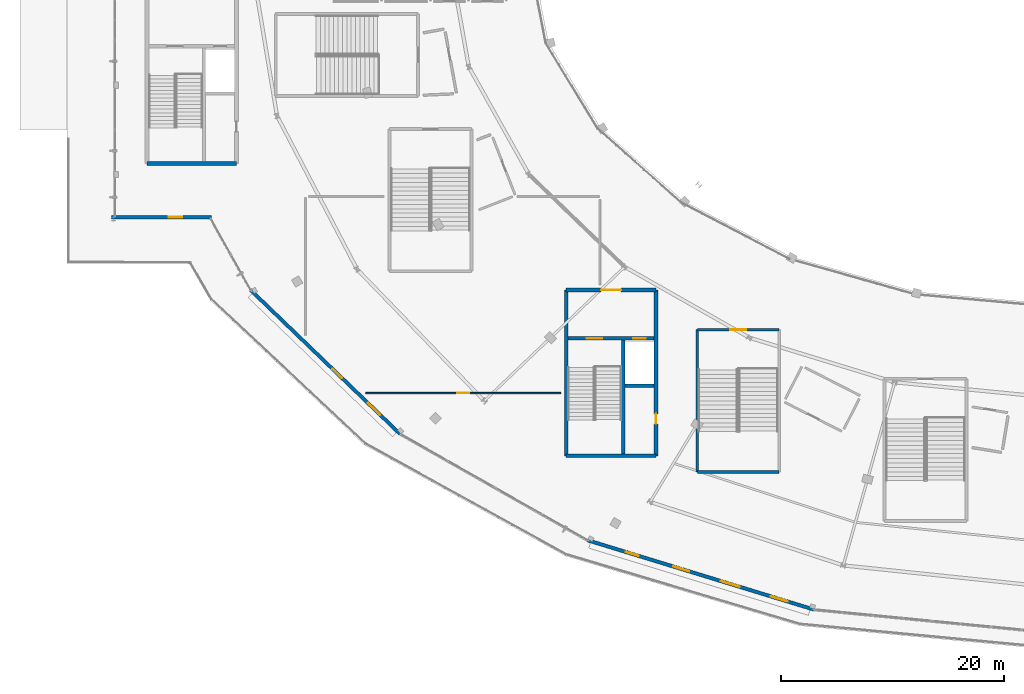
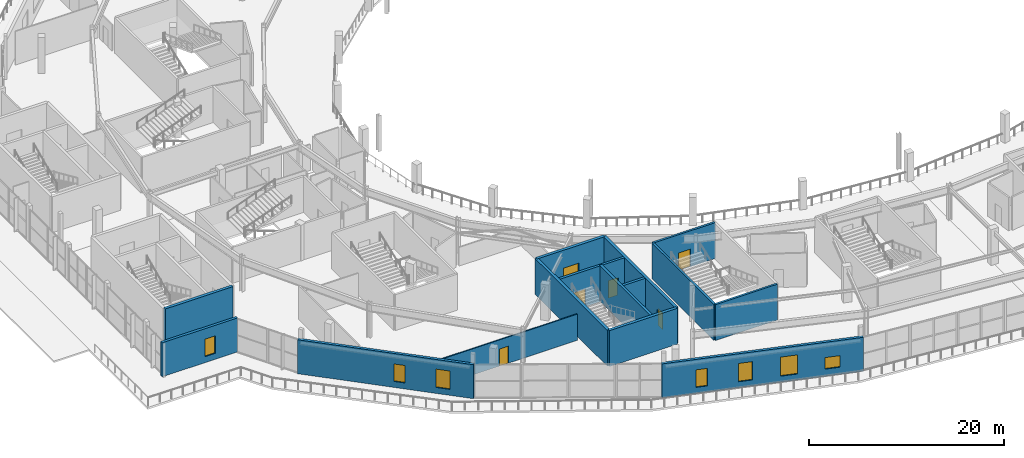
# One storey, part 85 of 123: 15 walls, 7 windows, 6 doors, 13 openings.
"""IFC4 building model written with IfcOpenShell, lengths in metres."""

import ifcopenshell
import ifcopenshell.guid

model = None  # the IFC model being written
_history = None  # IfcOwnerHistory: only IFC2X3 demands one
_inside = {}  # id of a spatial element -> (the spatial element, [elements in it])
_under = {}  # id of a project, library or spatial element -> (it, [spatial elements below it])
_declared = {}  # id of a project -> (the project, [libraries it declares])
_typed = {}  # id of a type object -> (the type object, [elements of that type])
_made_of = {}  # id of a material, layer set ... -> (it, [elements and type objects made of it])


def new_model(schema):
    """Start an empty IFC model of exactly this schema.

    Asked for "IFC4X3", IfcOpenShell would pick the latest addendum, in which some entities
    have other attributes; the version numbers below select the first issue.
    IFC2X3 requires an IfcOwnerHistory on every rooted entity: one is made here for all.
    """
    global model, _history
    if schema == "IFC4X3":
        model = ifcopenshell.file(schema_version=(4, 3, 0, 0))
    else:
        model = ifcopenshell.file(schema=schema)
    _inside.clear()
    _under.clear()
    _declared.clear()
    _typed.clear()
    _made_of.clear()
    _history = None
    if model.schema == "IFC2X3":
        org = make("IfcOrganization", Name="unknown")
        user = make(
            "IfcPersonAndOrganization",
            ThePerson=make("IfcPerson", FamilyName="unknown"),
            TheOrganization=org,
        )
        app = make(
            "IfcApplication",
            ApplicationDeveloper=org,
            Version="unknown",
            ApplicationFullName="unknown",
            ApplicationIdentifier="unknown",
        )
        _history = make(
            "IfcOwnerHistory",
            OwningUser=user,
            OwningApplication=app,
            ChangeAction="ADDED",
            CreationDate=0,
        )
    return model


def make(cls, **values):
    """One entity of the class cls with the attributes given. An attribute that is None is left unset."""
    return model.create_entity(
        cls, **{name: value for name, value in values.items() if value is not None}
    )


def rooted(cls, **values):
    """An entity with a GlobalId (a new one), such as an element, a storey or a relation."""
    return make(cls, GlobalId=ifcopenshell.guid.new(), OwnerHistory=_history, **values)


def si_unit(unit_type, name, prefix=None):
    """IfcSIUnit, for example si_unit("LENGTHUNIT", "METRE", prefix="MILLI")."""
    return make("IfcSIUnit", UnitType=unit_type, Prefix=prefix, Name=name)


def assignment(units):
    """IfcUnitAssignment: the units of a project."""
    return None if units is None else make("IfcUnitAssignment", Units=units)


def point(xyz):
    """IfcCartesianPoint."""
    return None if xyz is None else make("IfcCartesianPoint", Coordinates=xyz)


def direction(xyz):
    """IfcDirection."""
    return None if xyz is None else make("IfcDirection", DirectionRatios=xyz)


def frame(location, z_axis=None, x_axis=None):
    """IfcAxis2Placement3D, a coordinate frame: its origin and axes. An axis left out is left unset."""
    return make(
        "IfcAxis2Placement3D",
        Location=point(location),
        Axis=direction(z_axis),
        RefDirection=direction(x_axis),
    )


def frame_2d(location, x_axis=None):
    """IfcAxis2Placement2D, a coordinate frame in the plane: its origin and x axis."""
    return make(
        "IfcAxis2Placement2D", Location=point(location), RefDirection=direction(x_axis)
    )


def origin():
    """The frame at (0, 0, 0) with its axes left unset."""
    return frame((0.0, 0.0, 0.0))


def place(relative_to, where):
    """IfcLocalPlacement: puts the frame where relative to a parent placement (None: the world)."""
    return make(
        "IfcLocalPlacement", PlacementRelTo=relative_to, RelativePlacement=where
    )


def context(
    kind, dimensions, precision=None, world=None, true_north=None, identifier=None
):
    """IfcGeometricRepresentationContext, for example the 3D "Model" context."""
    return make(
        "IfcGeometricRepresentationContext",
        ContextIdentifier=identifier,
        ContextType=kind,
        CoordinateSpaceDimension=dimensions,
        Precision=precision,
        WorldCoordinateSystem=world,
        TrueNorth=true_north,
    )


def subcontext(parent, identifier, kind, view, scale=None):
    """IfcGeometricRepresentationSubContext, for example "Body" below "Model"."""
    return make(
        "IfcGeometricRepresentationSubContext",
        ContextIdentifier=identifier,
        ContextType=kind,
        ParentContext=parent,
        TargetScale=scale,
        TargetView=view,
    )


def project(units=None, contexts=None):
    """IfcProject with its units and contexts."""
    return rooted(
        "IfcProject",
        Name="project",
        RepresentationContexts=contexts,
        UnitsInContext=assignment(units),
    )


def spatial(cls, under=None, at=None, **own):
    """A site, building, storey or space (cls), placed at a placement, below another one or the project."""
    s = rooted(cls, ObjectPlacement=at, **own)
    if under is not None:
        _under.setdefault(under.id(), (under, []))[1].append(s)
    return s


def profile(cls, at=None, kind="AREA", **sizes):
    """A parametric profile (cls). Its sizes go by their IFC names, for example OverallWidth=200.0."""
    return make(cls, ProfileType=kind, Position=at, **sizes)


def rectangle(**sizes):
    """IfcRectangleProfileDef."""
    return profile("IfcRectangleProfileDef", **sizes)


def extrude(swept, where, along, depth):
    """IfcExtrudedAreaSolid: the profile swept, set in the frame where, extruded along a direction by depth."""
    return make(
        "IfcExtrudedAreaSolid",
        SweptArea=swept,
        Position=where,
        ExtrudedDirection=direction(along),
        Depth=depth,
    )


def shape(context_of_items, identifier, shape_type, items):
    """IfcShapeRepresentation: the items that make up one representation, for example the "Body"."""
    return make(
        "IfcShapeRepresentation",
        ContextOfItems=context_of_items,
        RepresentationIdentifier=identifier,
        RepresentationType=shape_type,
        Items=items,
    )


def material(Name=None, Category=None):
    """IfcMaterial."""
    return make("IfcMaterial", Name=Name, Category=Category)


def layer(
    of_material, thickness, ventilated=None, Name=None, Category=None, Priority=None
):
    """IfcMaterialLayer: one layer of a wall or slab, of a material (None: an air gap)."""
    return make(
        "IfcMaterialLayer",
        Material=of_material,
        LayerThickness=thickness,
        IsVentilated=ventilated,
        Name=Name,
        Category=Category,
        Priority=Priority,
    )


def layer_set(layers, Name=None):
    """IfcMaterialLayerSet."""
    return make("IfcMaterialLayerSet", MaterialLayers=layers, LayerSetName=Name)


def made_of(thing, what):
    """Note that an element or type object is made of a material, layer set ...; save() writes the relation."""
    if what is not None:
        _made_of.setdefault(what.id(), (what, []))[1].append(thing)
    return thing


def type_object(cls, material=None, **own):
    """A type object (cls), such as IfcWallType, which elements share."""
    return made_of(rooted(cls, **own), material)


def element(
    cls,
    number,
    at=None,
    inside=None,
    cuts=None,
    type_object=None,
    material=None,
    context=None,
    identifier="Body",
    shape_type=None,
    held_by="IfcProductDefinitionShape",
    body=None,
    shapes=None,
    **own,
):
    """One element of the class cls, such as IfcWall. Its Tag is "e" and its number.

    at: its placement. inside: the storey or other place that contains it. cuts: it is an
    opening in that element (IfcRelVoidsElement). A single representation is given by context,
    identifier, shape_type and body (its items); several are given by shapes. held_by: the class
    of the entity that holds the representations. save() writes the other relations.
    """
    e = rooted(cls, Tag="e%d" % number, ObjectPlacement=at, **own)
    if body is not None:
        shapes = [shape(context, identifier, shape_type, body)]
    if shapes is not None:
        e.Representation = make(held_by, Representations=shapes)
    if inside is not None:
        _inside.setdefault(inside.id(), (inside, []))[1].append(e)
    if cuts is not None:
        rooted(
            "IfcRelVoidsElement", RelatingBuildingElement=cuts, RelatedOpeningElement=e
        )
    if type_object is not None:
        _typed.setdefault(type_object.id(), (type_object, []))[1].append(e)
    return made_of(e, material)


def fill(opening, filler):
    """IfcRelFillsElement: the door or window that sits in an opening."""
    return rooted(
        "IfcRelFillsElement",
        RelatingOpeningElement=opening,
        RelatedBuildingElement=filler,
    )


def aggregate(whole, parts):
    """IfcRelAggregates: a whole, such as a stair, and the parts it consists of."""
    return rooted("IfcRelAggregates", RelatingObject=whole, RelatedObjects=parts)


def save(model, path):
    """Write the relations noted so far, then the file.

    IfcRelAggregates (storeys below a building ...), IfcRelContainedInSpatialStructure (elements
    in a storey), IfcRelDefinesByType, IfcRelAssociatesMaterial and IfcRelDeclares: one each for
    every whole, place, type object, material and project.
    """
    for whole, parts in _under.values():
        aggregate(whole, parts)
    for where, things in _inside.values():
        rooted(
            "IfcRelContainedInSpatialStructure",
            RelatedElements=things,
            RelatingStructure=where,
        )
    for kind, things in _typed.values():
        rooted("IfcRelDefinesByType", RelatedObjects=things, RelatingType=kind)
    for what, things in _made_of.values():
        rooted("IfcRelAssociatesMaterial", RelatedObjects=things, RelatingMaterial=what)
    for by, libraries in _declared.values():
        rooted("IfcRelDeclares", RelatingContext=by, RelatedDefinitions=libraries)
    model.write(path)


model = new_model("IFC4")

# Units and contexts
model_context = context("Model", 3, precision=1e-05, world=origin(), true_north=direction((0.0, 1.0)))
body_context = subcontext(model_context, "Body", "Model", "MODEL_VIEW")
ifc_project = project(units=[si_unit("LENGTHUNIT", "METRE"), si_unit("AREAUNIT", "SQUARE_METRE"), si_unit("VOLUMEUNIT", "CUBIC_METRE"), si_unit("PLANEANGLEUNIT", "RADIAN"), si_unit("MASSUNIT", "GRAM", prefix="KILO")], contexts=[model_context])

# Site, building, storey
site_placement = place(None, origin())
site = spatial("IfcSite", under=ifc_project, at=site_placement, CompositionType="ELEMENT")
building_placement = place(site_placement, origin())
building = spatial("IfcBuilding", under=site, at=building_placement, Name="Kalgoora Escarpment Arena", CompositionType="ELEMENT")
storey_placement = place(building_placement, frame((0.0, 0.0, 9.89990234375)))
storey = spatial("IfcBuildingStorey", under=building, at=storey_placement, Name="L02", CompositionType="ELEMENT", Elevation=9.89990234375)

# Walls
ifc_material_1 = material(Name="Concrete N50 (fc' 50 MPa)", Category="concrete")
ifc_layer_1 = layer(ifc_material_1, 0.35009765625)
ifc_layer_set_1 = layer_set([ifc_layer_1], Name="WAL-CORE-350")
wall_type_1 = type_object("IfcWallType", Name="WAL-CORE-350", PredefinedType="SHEAR", material=ifc_layer_set_1)
wall_1_placement = place(storey_placement, frame((11.375, 44.97509765625, 0.0), z_axis=(0.0, 0.0, 1.0), x_axis=(1.0, 0.0, 0.0)))
element("IfcWall", 1, at=wall_1_placement, inside=storey, type_object=wall_type_1, Name="Core C2 L02 south shear wall", PredefinedType="SHEAR", context=body_context, shape_type="SweptSolid", body=[
    extrude(rectangle(XDim=8.050048828125, YDim=0.35009765625, at=frame_2d((4.02490234375, 0.0))), origin(), (0.0, 0.0, 1.0), 4.5),
])
wall_2_placement = place(storey_placement, frame((48.97509765625, 18.77490234375, 0.0), z_axis=(0.0, 0.0, 1.0), x_axis=(1.0, 0.0, 0.0)))
element("IfcWall", 2, at=wall_2_placement, inside=storey, type_object=wall_type_1, Name="Core C5 L02 south shear wall", PredefinedType="SHEAR", context=body_context, shape_type="SweptSolid", body=[
    extrude(rectangle(XDim=8.0498046875, YDim=0.35009765625, at=frame_2d((4.02490234375, 0.0))), origin(), (0.0, 0.0, 1.0), 4.5),
])

# Wall, opening, door
wall_3_placement = place(storey_placement, frame((48.97509765625, 33.625, 0.0), z_axis=(0.0, 0.0, 1.0), x_axis=(1.0, 0.0, 0.0)))
wall_3 = element("IfcWall", 3, at=wall_3_placement, inside=storey, type_object=wall_type_1, Name="Core C5 L02 north lobby wall", PredefinedType="SHEAR", context=body_context, shape_type="SweptSolid", body=[
    extrude(rectangle(XDim=8.0498046875, YDim=0.35009765625, at=frame_2d((4.02490234375, 0.0))), origin(), (0.0, 0.0, 1.0), 4.5),
])
opening_1_placement = place(wall_3_placement, frame((3.125, 0.0, 0.0)))
opening_1 = element("IfcOpeningElement", 4, at=opening_1_placement, cuts=wall_3, Name="Opening FD-C5L", PredefinedType="OPENING", context=body_context, shape_type="SweptSolid", body=[
    extrude(rectangle(XDim=1.800048828125, YDim=2.25, at=frame_2d((0.89990234375, 1.125))), frame((0.0, 0.18505859375, 0.0), z_axis=(0.0, -1.0, 0.0), x_axis=(1.0, 0.0, 0.0)), (0.0, 0.0, 1.0), 0.3701171875),
])
ifc_material_2 = material(Name="Double fire-rated smoke-seal lobby door")
door_type_1 = type_object("IfcDoorType", Name="DR-LOBBY-1800", OperationType="NOTDEFINED", PredefinedType="DOOR", material=ifc_material_2)
door_1_placement = place(opening_1_placement, origin())
door_1 = element("IfcDoor", 5, at=door_1_placement, inside=storey, type_object=door_type_1, Name="Core C5 L02 smoke-lobby fire door", OperationType="DOUBLE_DOOR_SINGLE_SWING", OverallHeight=2.25, OverallWidth=1.800048828125, PredefinedType="DOOR", context=body_context, shape_type="SweptSolid", body=[
    extrude(rectangle(XDim=1.800048828125, YDim=2.25, at=frame_2d((0.89990234375, 1.125))), frame((0.0, 0.02490234375, 0.0), z_axis=(0.0, -1.0, 0.0), x_axis=(1.0, 0.0, 0.0)), (0.0, 0.0, 1.0), 0.050048828125),
])
fill(opening_1, door_1)

# Wall
wall_4_placement = place(storey_placement, frame((48.97509765625, 18.77490234375, 0.0), z_axis=(0.0, 0.0, 1.0), x_axis=(0.0, 1.0, 0.0)))
element("IfcWall", 6, at=wall_4_placement, inside=storey, type_object=wall_type_1, Name="Core C5 L02 west shear wall", PredefinedType="SHEAR", context=body_context, shape_type="SweptSolid", body=[
    extrude(rectangle(XDim=14.85009765625, YDim=0.35009765625, at=frame_2d((7.425048828125, 0.0))), origin(), (0.0, 0.0, 1.0), 4.5),
])

# Wall, opening, door
wall_5_placement = place(storey_placement, frame((57.02490234375, 18.77490234375, 0.0), z_axis=(0.0, 0.0, 1.0), x_axis=(0.0, 1.0, 0.0)))
wall_5 = element("IfcWall", 7, at=wall_5_placement, inside=storey, type_object=wall_type_1, Name="Core C5 L02 east shear wall", PredefinedType="SHEAR", context=body_context, shape_type="SweptSolid", body=[
    extrude(rectangle(XDim=14.85009765625, YDim=0.35009765625, at=frame_2d((7.425048828125, 0.0))), origin(), (0.0, 0.0, 1.0), 4.5),
])
opening_2_placement = place(wall_5_placement, frame((2.85498046875, 0.0, 0.0)))
opening_2 = element("IfcOpeningElement", 8, at=opening_2_placement, cuts=wall_5, Name="Opening FD-C5R", PredefinedType="OPENING", context=body_context, shape_type="SweptSolid", body=[
    extrude(rectangle(XDim=0.89990234375, YDim=2.10009765625, at=frame_2d((0.449951171875, 1.050048828125))), frame((0.0, 0.18505859375, 0.0), z_axis=(0.0, -1.0, 0.0), x_axis=(1.0, 0.0, 0.0)), (0.0, 0.0, 1.0), 0.3701171875),
])
ifc_material_3 = material(Name="Fire-rated steel riser access door", Category="steel")
door_type_2 = type_object("IfcDoorType", Name="DR-RISER-0900", OperationType="NOTDEFINED", PredefinedType="DOOR", material=ifc_material_3)
door_2_placement = place(opening_2_placement, origin())
door_2 = element("IfcDoor", 9, at=door_2_placement, inside=storey, type_object=door_type_2, Name="Core C5 L02 riser cupboard access door", OperationType="SINGLE_SWING_RIGHT", OverallHeight=2.10009765625, OverallWidth=0.89990234375, PredefinedType="DOOR", context=body_context, shape_type="SweptSolid", body=[
    extrude(rectangle(XDim=0.89990234375, YDim=2.10009765625, at=frame_2d((0.449951171875, 1.050048828125))), frame((0.0, 0.02490234375, 0.0), z_axis=(0.0, -1.0, 0.0), x_axis=(1.0, 0.0, 0.0)), (0.0, 0.0, 1.0), 0.050048828125),
])
fill(opening_2, door_2)

ifc_material_4 = material(Name="Hospitality acoustic drywall partition", Category="gypsum")
ifc_layer_2 = layer(ifc_material_4, 0.135009765625)
ifc_layer_set_2 = layer_set([ifc_layer_2], Name="WAL-DIN-135")
wall_type_2 = type_object("IfcWallType", Name="WAL-DIN-135", PredefinedType="PARTITIONING", material=ifc_layer_set_2)
wall_6_placement = place(storey_placement, frame((48.47509765625, 24.39990234375, 0.0), z_axis=(0.0, 0.0, 1.0), x_axis=(-1.0, 0.0, 0.0)))
wall_6 = element("IfcWall", 10, at=wall_6_placement, inside=storey, type_object=wall_type_2, Name="L02 Goldfields Wine Tasting Room partition wall", PredefinedType="PARTITIONING", context=body_context, shape_type="SweptSolid", body=[
    extrude(rectangle(XDim=17.48291015625, YDim=0.135009765625, at=frame_2d((8.741455078125, 0.0))), origin(), (0.0, 0.0, 1.0), 3.28515625),
])
opening_3_placement = place(wall_6_placement, frame((8.201416015625, 0.0, 0.0)))
opening_3 = element("IfcOpeningElement", 11, at=opening_3_placement, cuts=wall_6, Name="Opening FD-I098", PredefinedType="OPENING", context=body_context, shape_type="SweptSolid", body=[
    extrude(rectangle(XDim=1.080078125, YDim=2.14990234375, at=frame_2d((0.5400390625, 1.074951171875))), frame((0.0, 0.077392578125, 0.0), z_axis=(0.0, -1.0, 0.0), x_axis=(1.0, 0.0, 0.0)), (0.0, 0.0, 1.0), 0.155029296875),
])
ifc_material_5 = material(Name="Solid-core acoustic timber door", Category="wood")
door_type_3 = type_object("IfcDoorType", Name="DR-GEN-1080", OperationType="NOTDEFINED", PredefinedType="DOOR", material=ifc_material_5)
door_3_placement = place(opening_3_placement, origin())
door_3 = element("IfcDoor", 12, at=door_3_placement, inside=storey, type_object=door_type_3, Name="Goldfields Wine Tasting Room entrance door", OperationType="SINGLE_SWING_RIGHT", OverallHeight=2.14990234375, OverallWidth=1.080078125, PredefinedType="DOOR", context=body_context, shape_type="SweptSolid", body=[
    extrude(rectangle(XDim=1.080078125, YDim=2.14990234375, at=frame_2d((0.5400390625, 1.074951171875))), frame((0.0, 0.02490234375, 0.0), z_axis=(0.0, -1.0, 0.0), x_axis=(1.0, 0.0, 0.0)), (0.0, 0.0, 1.0), 0.050048828125),
])
fill(opening_3, door_3)

# Wall, openings, windows
ifc_material_6 = material(Name="Insulated limestone cladding precast wall 40 MPa", Category="masonry")
ifc_layer_3 = layer(ifc_material_6, 0.31494140625)
ifc_layer_set_3 = layer_set([ifc_layer_3], Name="WAL-EXT-315")
wall_type_3 = type_object("IfcWallType", Name="WAL-EXT-315", PredefinedType="SOLIDWALL", material=ifc_layer_set_3)
wall_7_placement = place(storey_placement, frame((71.190673828125, 4.982421875, 0.0), z_axis=(0.0, 0.0, 1.0), x_axis=(-0.956190176803, 0.292746213956, 0.0)))
wall_7 = element("IfcWall", 13, at=wall_7_placement, inside=storey, type_object=wall_type_3, Name="L02 limestone-faced external wall 042", PredefinedType="SOLIDWALL", context=body_context, shape_type="SweptSolid", body=[
    extrude(rectangle(XDim=21.250244140625, YDim=0.31494140625, at=frame_2d((10.625, 0.0))), origin(), (0.0, 0.0, 1.0), 4.26513671875),
])
opening_4_placement = place(wall_7_placement, frame((2.449951171875, 0.0, 0.89990234375)))
opening_4 = element("IfcOpeningElement", 14, at=opening_4_placement, cuts=wall_7, Name="Opening W-19", PredefinedType="OPENING", context=body_context, shape_type="SweptSolid", body=[
    extrude(rectangle(XDim=1.60009765625, YDim=1.449951171875, at=frame_2d((0.800048828125, 0.72509765625))), frame((0.0, 0.16748046875, 0.0), z_axis=(0.0, -1.0, 0.0), x_axis=(1.0, 0.0, 0.0)), (0.0, 0.0, 1.0), 0.3349609375),
])
opening_5_placement = place(wall_7_placement, frame((6.949951171875, 0.0, 0.75)))
opening_5 = element("IfcOpeningElement", 15, at=opening_5_placement, cuts=wall_7, Name="Opening W-01", PredefinedType="OPENING", context=body_context, shape_type="SweptSolid", body=[
    extrude(rectangle(XDim=1.800048828125, YDim=2.39990234375, at=frame_2d((0.89990234375, 1.199951171875))), frame((0.0, 0.16748046875, 0.0), z_axis=(0.0, -1.0, 0.0), x_axis=(1.0, 0.0, 0.0)), (0.0, 0.0, 1.0), 0.3349609375),
])
opening_6_placement = place(wall_7_placement, frame((11.699951171875, 0.0, 0.75)))
opening_6 = element("IfcOpeningElement", 16, at=opening_6_placement, cuts=wall_7, Name="Opening W-03", PredefinedType="OPENING", context=body_context, shape_type="SweptSolid", body=[
    extrude(rectangle(XDim=1.5, YDim=2.300048828125, at=frame_2d((0.75, 1.14990234375))), frame((0.0, 0.16748046875, 0.0), z_axis=(0.0, -1.0, 0.0), x_axis=(1.0, 0.0, 0.0)), (0.0, 0.0, 1.0), 0.3349609375),
])
opening_7_placement = place(wall_7_placement, frame((16.449951171875, 0.0, 0.75)))
opening_7 = element("IfcOpeningElement", 17, at=opening_7_placement, cuts=wall_7, Name="Opening W-05", PredefinedType="OPENING", context=body_context, shape_type="SweptSolid", body=[
    extrude(rectangle(XDim=1.199951171875, YDim=2.199951171875, at=frame_2d((0.60009765625, 1.10009765625))), frame((0.0, 0.16748046875, 0.0), z_axis=(0.0, -1.0, 0.0), x_axis=(1.0, 0.0, 0.0)), (0.0, 0.0, 1.0), 0.3349609375),
])
ifc_material_7 = material(Name="Low-E solar-control double glazing in champagne frame", Category="glass")
window_type_1 = type_object("IfcWindowType", Name="WIN-BOH-1600x1450", PartitioningType="SINGLE_PANEL", PredefinedType="WINDOW", material=ifc_material_7)
window_1_placement = place(opening_4_placement, origin())
window_1 = element("IfcWindow", 18, at=window_1_placement, inside=storey, type_object=window_type_1, Name="L02 scheduled facade window 039", OverallHeight=1.449951171875, OverallWidth=1.60009765625, PartitioningType="SINGLE_PANEL", PredefinedType="WINDOW", context=body_context, shape_type="SweptSolid", body=[
    extrude(rectangle(XDim=1.60009765625, YDim=1.449951171875, at=frame_2d((0.800048828125, 0.72509765625))), frame((0.0, 0.030029296875, 0.0), z_axis=(0.0, -1.0, 0.0), x_axis=(1.0, 0.0, 0.0)), (0.0, 0.0, 1.0), 0.06005859375),
])
fill(opening_4, window_1)
ifc_material_8 = material(Name="Low-E solar-control double glazing in champagne frame", Category="glass")
window_type_2 = type_object("IfcWindowType", Name="WIN-DECO-1200x2200", PartitioningType="SINGLE_PANEL", PredefinedType="WINDOW", material=ifc_material_8)
window_2_placement = place(opening_7_placement, origin())
window_2 = element("IfcWindow", 19, at=window_2_placement, inside=storey, type_object=window_type_2, Name="L02 scheduled facade window 042", OverallHeight=2.199951171875, OverallWidth=1.199951171875, PartitioningType="SINGLE_PANEL", PredefinedType="WINDOW", context=body_context, shape_type="SweptSolid", body=[
    extrude(rectangle(XDim=1.199951171875, YDim=2.199951171875, at=frame_2d((0.60009765625, 1.10009765625))), frame((0.0, 0.030029296875, 0.0), z_axis=(0.0, -1.0, 0.0), x_axis=(1.0, 0.0, 0.0)), (0.0, 0.0, 1.0), 0.06005859375),
])
fill(opening_7, window_2)
ifc_material_9 = material(Name="Low-E solar-control double glazing in champagne frame", Category="glass")
window_type_3 = type_object("IfcWindowType", Name="WIN-DECO-1500x2300", PartitioningType="SINGLE_PANEL", PredefinedType="WINDOW", material=ifc_material_9)
window_3_placement = place(opening_6_placement, origin())
window_3 = element("IfcWindow", 20, at=window_3_placement, inside=storey, type_object=window_type_3, Name="L02 scheduled facade window 041", OverallHeight=2.300048828125, OverallWidth=1.5, PartitioningType="SINGLE_PANEL", PredefinedType="WINDOW", context=body_context, shape_type="SweptSolid", body=[
    extrude(rectangle(XDim=1.5, YDim=2.300048828125, at=frame_2d((0.75, 1.14990234375))), frame((0.0, 0.030029296875, 0.0), z_axis=(0.0, -1.0, 0.0), x_axis=(1.0, 0.0, 0.0)), (0.0, 0.0, 1.0), 0.06005859375),
])
fill(opening_6, window_3)
ifc_material_10 = material(Name="Low-E solar-control double glazing in champagne frame", Category="glass")
window_type_4 = type_object("IfcWindowType", Name="WIN-DECO-1800x2400", PartitioningType="SINGLE_PANEL", PredefinedType="WINDOW", material=ifc_material_10)
window_4_placement = place(opening_5_placement, origin())
window_4 = element("IfcWindow", 21, at=window_4_placement, inside=storey, type_object=window_type_4, Name="L02 scheduled facade window 040", OverallHeight=2.39990234375, OverallWidth=1.800048828125, PartitioningType="SINGLE_PANEL", PredefinedType="WINDOW", context=body_context, shape_type="SweptSolid", body=[
    extrude(rectangle(XDim=1.800048828125, YDim=2.39990234375, at=frame_2d((0.89990234375, 1.199951171875))), frame((0.0, 0.030029296875, 0.0), z_axis=(0.0, -1.0, 0.0), x_axis=(1.0, 0.0, 0.0)), (0.0, 0.0, 1.0), 0.06005859375),
])
fill(opening_5, window_4)

wall_8_placement = place(storey_placement, frame((34.09228515625, 20.7119140625, 0.0), z_axis=(0.0, 0.0, 1.0), x_axis=(-0.720214986834, 0.693750944316, 0.0)))
wall_8 = element("IfcWall", 22, at=wall_8_placement, inside=storey, type_object=wall_type_3, Name="L02 limestone-faced external wall 043", PredefinedType="SOLIDWALL", context=body_context, shape_type="SweptSolid", body=[
    extrude(rectangle(XDim=18.63525390625, YDim=0.31494140625, at=frame_2d((9.317626953125, 0.0))), origin(), (0.0, 0.0, 1.0), 4.26513671875),
])
opening_8_placement = place(wall_8_placement, frame((2.5, 0.0, 0.75)))
opening_8 = element("IfcOpeningElement", 23, at=opening_8_placement, cuts=wall_8, Name="Opening W-03", PredefinedType="OPENING", context=body_context, shape_type="SweptSolid", body=[
    extrude(rectangle(XDim=1.5, YDim=2.300048828125, at=frame_2d((0.75, 1.14990234375))), frame((0.0, 0.16748046875, 0.0), z_axis=(0.0, -1.0, 0.0), x_axis=(1.0, 0.0, 0.0)), (0.0, 0.0, 1.0), 0.3349609375),
])
opening_9_placement = place(wall_8_placement, frame((7.25, 0.0, 0.75)))
opening_9 = element("IfcOpeningElement", 24, at=opening_9_placement, cuts=wall_8, Name="Opening W-05", PredefinedType="OPENING", context=body_context, shape_type="SweptSolid", body=[
    extrude(rectangle(XDim=1.199951171875, YDim=2.199951171875, at=frame_2d((0.60009765625, 1.10009765625))), frame((0.0, 0.16748046875, 0.0), z_axis=(0.0, -1.0, 0.0), x_axis=(1.0, 0.0, 0.0)), (0.0, 0.0, 1.0), 0.3349609375),
])
window_5_placement = place(opening_9_placement, origin())
window_5 = element("IfcWindow", 25, at=window_5_placement, inside=storey, type_object=window_type_2, Name="L02 scheduled facade window 044", OverallHeight=2.199951171875, OverallWidth=1.199951171875, PartitioningType="SINGLE_PANEL", PredefinedType="WINDOW", context=body_context, shape_type="SweptSolid", body=[
    extrude(rectangle(XDim=1.199951171875, YDim=2.199951171875, at=frame_2d((0.60009765625, 1.10009765625))), frame((0.0, 0.030029296875, 0.0), z_axis=(0.0, -1.0, 0.0), x_axis=(1.0, 0.0, 0.0)), (0.0, 0.0, 1.0), 0.06005859375),
])
fill(opening_9, window_5)
window_6_placement = place(opening_8_placement, origin())
window_6 = element("IfcWindow", 26, at=window_6_placement, inside=storey, type_object=window_type_3, Name="L02 scheduled facade window 043", OverallHeight=2.300048828125, OverallWidth=1.5, PartitioningType="SINGLE_PANEL", PredefinedType="WINDOW", context=body_context, shape_type="SweptSolid", body=[
    extrude(rectangle(XDim=1.5, YDim=2.300048828125, at=frame_2d((0.75, 1.14990234375))), frame((0.0, 0.030029296875, 0.0), z_axis=(0.0, -1.0, 0.0), x_axis=(1.0, 0.0, 0.0)), (0.0, 0.0, 1.0), 0.06005859375),
])
fill(opening_8, window_6)

# Wall, opening, window
wall_9_placement = place(storey_placement, frame((17.177001953125, 40.157470703125, 0.0), z_axis=(0.0, 0.0, 1.0), x_axis=(-1.0, 0.0, 0.0)))
wall_9 = element("IfcWall", 27, at=wall_9_placement, inside=storey, type_object=wall_type_3, Name="L02 limestone-faced external wall 044", PredefinedType="SOLIDWALL", context=body_context, shape_type="SweptSolid", body=[
    extrude(rectangle(XDim=8.959716796875, YDim=0.31494140625, at=frame_2d((4.47998046875, 0.0))), origin(), (0.0, 0.0, 1.0), 4.26513671875),
])
opening_10_placement = place(wall_9_placement, frame((2.64990234375, 0.0, 0.75)))
opening_10 = element("IfcOpeningElement", 28, at=opening_10_placement, cuts=wall_9, Name="Opening W-05", PredefinedType="OPENING", context=body_context, shape_type="SweptSolid", body=[
    extrude(rectangle(XDim=1.199951171875, YDim=2.199951171875, at=frame_2d((0.60009765625, 1.10009765625))), frame((0.0, 0.16748046875, 0.0), z_axis=(0.0, -1.0, 0.0), x_axis=(1.0, 0.0, 0.0)), (0.0, 0.0, 1.0), 0.3349609375),
])
window_7_placement = place(opening_10_placement, origin())
window_7 = element("IfcWindow", 29, at=window_7_placement, inside=storey, type_object=window_type_2, Name="L02 scheduled facade window 045", OverallHeight=2.199951171875, OverallWidth=1.199951171875, PartitioningType="SINGLE_PANEL", PredefinedType="WINDOW", context=body_context, shape_type="SweptSolid", body=[
    extrude(rectangle(XDim=1.199951171875, YDim=2.199951171875, at=frame_2d((0.60009765625, 1.10009765625))), frame((0.0, 0.030029296875, 0.0), z_axis=(0.0, -1.0, 0.0), x_axis=(1.0, 0.0, 0.0)), (0.0, 0.0, 1.0), 0.06005859375),
])
fill(opening_10, window_7)

# Wall, openings, doors
ifc_material_11 = material(Name="Concrete N50 (fc' 50 MPa)", Category="concrete")
ifc_layer_4 = layer(ifc_material_11, 0.300048828125)
ifc_layer_set_4 = layer_set([ifc_layer_4], Name="WAL-SHAFT-300")
wall_type_4 = type_object("IfcWallType", Name="WAL-SHAFT-300", PredefinedType="SHEAR", material=ifc_layer_set_4)
wall_10_placement = place(storey_placement, frame((49.14990234375, 29.300048828125, 0.0), z_axis=(0.0, 0.0, 1.0), x_axis=(1.0, 0.0, 0.0)))
wall_10 = element("IfcWall", 30, at=wall_10_placement, inside=storey, type_object=wall_type_4, Name="Core C5 L02 lobby shaft wall", PredefinedType="SHEAR", context=body_context, shape_type="SweptSolid", body=[
    extrude(rectangle(XDim=7.7001953125, YDim=0.300048828125, at=frame_2d((3.85009765625, 0.0))), origin(), (0.0, 0.0, 1.0), 4.5),
])
opening_11_placement = place(wall_10_placement, frame((1.64990234375, 0.0, 0.0)))
opening_11 = element("IfcOpeningElement", 31, at=opening_11_placement, cuts=wall_10, Name="Opening FD-ST05", PredefinedType="OPENING", context=body_context, shape_type="SweptSolid", body=[
    extrude(rectangle(XDim=1.39990234375, YDim=2.199951171875, at=frame_2d((0.699951171875, 1.10009765625))), frame((0.0, 0.159912109375, 0.0), z_axis=(0.0, -1.0, 0.0), x_axis=(1.0, 0.0, 0.0)), (0.0, 0.0, 1.0), 0.320068359375),
])
opening_12_placement = place(wall_10_placement, frame((5.85009765625, 0.0, 0.0)))
opening_12 = element("IfcOpeningElement", 32, at=opening_12_placement, cuts=wall_10, Name="Opening LD-PL3", PredefinedType="OPENING", context=body_context, shape_type="SweptSolid", body=[
    extrude(rectangle(XDim=1.10009765625, YDim=2.199951171875, at=frame_2d((0.550048828125, 1.10009765625))), frame((0.0, 0.159912109375, 0.0), z_axis=(0.0, -1.0, 0.0), x_axis=(1.0, 0.0, 0.0)), (0.0, 0.0, 1.0), 0.320068359375),
])
ifc_material_12 = material(Name="Brushed stainless steel sliding lift landing door", Category="steel")
door_type_4 = type_object("IfcDoorType", Name="DR-LD-PL3", OperationType="SLIDING_TO_LEFT", PredefinedType="DOOR", material=ifc_material_12)
door_4_placement = place(opening_12_placement, origin())
door_4 = element("IfcDoor", 33, at=door_4_placement, inside=storey, type_object=door_type_4, Name="Lift PL3 L02 sliding landing door", OperationType="SLIDING_TO_LEFT", OverallHeight=2.199951171875, OverallWidth=1.10009765625, PredefinedType="DOOR", context=body_context, shape_type="SweptSolid", body=[
    extrude(rectangle(XDim=1.10009765625, YDim=2.199951171875, at=frame_2d((0.550048828125, 1.10009765625))), frame((0.0, 0.02490234375, 0.0), z_axis=(0.0, -1.0, 0.0), x_axis=(1.0, 0.0, 0.0)), (0.0, 0.0, 1.0), 0.050048828125),
])
fill(opening_12, door_4)
ifc_material_13 = material(Name="Fire-rated steel stair leaf with vision panel", Category="steel")
door_type_5 = type_object("IfcDoorType", Name="DR-STAIR-1400", OperationType="NOTDEFINED", PredefinedType="DOOR", material=ifc_material_13)
door_5_placement = place(opening_11_placement, origin())
door_5 = element("IfcDoor", 34, at=door_5_placement, inside=storey, type_object=door_type_5, Name="Fire stair ST05 L02 fire door", OperationType="SINGLE_SWING_LEFT", OverallHeight=2.199951171875, OverallWidth=1.39990234375, PredefinedType="DOOR", context=body_context, shape_type="SweptSolid", body=[
    extrude(rectangle(XDim=1.39990234375, YDim=2.199951171875, at=frame_2d((0.699951171875, 1.10009765625))), frame((0.0, 0.02490234375, 0.0), z_axis=(0.0, -1.0, 0.0), x_axis=(1.0, 0.0, 0.0)), (0.0, 0.0, 1.0), 0.050048828125),
])
fill(opening_11, door_5)

# Walls
wall_11_placement = place(storey_placement, frame((54.10009765625, 18.949951171875, 0.0), z_axis=(0.0, 0.0, 1.0), x_axis=(0.0, 1.0, 0.0)))
element("IfcWall", 35, at=wall_11_placement, inside=storey, type_object=wall_type_4, Name="Core C5 L02 stair-lift spine wall", PredefinedType="SHEAR", context=body_context, shape_type="SweptSolid", body=[
    extrude(rectangle(XDim=10.35009765625, YDim=0.300048828125, at=frame_2d((5.175048828125, 0.0))), origin(), (0.0, 0.0, 1.0), 4.5),
])
wall_12_placement = place(storey_placement, frame((54.25, 25.050048828125, 0.0), z_axis=(0.0, 0.0, 1.0), x_axis=(1.0, 0.0, 0.0)))
element("IfcWall", 36, at=wall_12_placement, inside=storey, type_object=wall_type_4, Name="Core C5 L02 lift-riser divider wall", PredefinedType="SHEAR", context=body_context, shape_type="SweptSolid", body=[
    extrude(rectangle(XDim=2.60009765625, YDim=0.300048828125, at=frame_2d((1.300048828125, 0.0))), origin(), (0.0, 0.0, 1.0), 4.5),
])
ifc_material_14 = material(Name="Concrete N50 (fc' 50 MPa)", Category="concrete")
ifc_layer_5 = layer(ifc_material_14, 0.25)
ifc_layer_set_5 = layer_set([ifc_layer_5], Name="WAL-STAIR-250")
wall_type_5 = type_object("IfcWallType", Name="WAL-STAIR-250", PredefinedType="SHEAR", material=ifc_layer_set_5)
wall_13_placement = place(storey_placement, frame((60.72509765625, 17.324951171875, 0.0), z_axis=(0.0, 0.0, 1.0), x_axis=(1.0, 0.0, 0.0)))
element("IfcWall", 37, at=wall_13_placement, inside=storey, type_object=wall_type_5, Name="Exit stair ST13 L02 south wall", PredefinedType="SHEAR", context=body_context, shape_type="SweptSolid", body=[
    extrude(rectangle(XDim=7.349853515625, YDim=0.25, at=frame_2d((3.6748046875, 0.0))), origin(), (0.0, 0.0, 1.0), 4.5),
])

# Wall, opening, door
wall_14_placement = place(storey_placement, frame((60.72509765625, 30.074951171875, 0.0), z_axis=(0.0, 0.0, 1.0), x_axis=(1.0, 0.0, 0.0)))
wall_14 = element("IfcWall", 38, at=wall_14_placement, inside=storey, type_object=wall_type_5, Name="Exit stair ST13 L02 north wall", PredefinedType="SHEAR", context=body_context, shape_type="SweptSolid", body=[
    extrude(rectangle(XDim=7.349853515625, YDim=0.25, at=frame_2d((3.6748046875, 0.0))), origin(), (0.0, 0.0, 1.0), 4.5),
])
opening_13_placement = place(wall_14_placement, frame((2.97509765625, 0.0, 0.0)))
opening_13 = element("IfcOpeningElement", 39, at=opening_13_placement, cuts=wall_14, Name="Opening FD-ST13", PredefinedType="OPENING", context=body_context, shape_type="SweptSolid", body=[
    extrude(rectangle(XDim=1.39990234375, YDim=2.199951171875, at=frame_2d((0.699951171875, 1.10009765625))), frame((0.0, 0.135009765625, 0.0), z_axis=(0.0, -1.0, 0.0), x_axis=(1.0, 0.0, 0.0)), (0.0, 0.0, 1.0), 0.27001953125),
])
door_6_placement = place(opening_13_placement, origin())
door_6 = element("IfcDoor", 40, at=door_6_placement, inside=storey, type_object=door_type_5, Name="Fire-isolated stair ST13 L02 egress door", OperationType="SINGLE_SWING_LEFT", OverallHeight=2.199951171875, OverallWidth=1.39990234375, PredefinedType="DOOR", context=body_context, shape_type="SweptSolid", body=[
    extrude(rectangle(XDim=1.39990234375, YDim=2.199951171875, at=frame_2d((0.699951171875, 1.10009765625))), frame((0.0, 0.02490234375, 0.0), z_axis=(0.0, -1.0, 0.0), x_axis=(1.0, 0.0, 0.0)), (0.0, 0.0, 1.0), 0.050048828125),
])
fill(opening_13, door_6)

# Wall
wall_15_placement = place(storey_placement, frame((60.72509765625, 17.324951171875, 0.0), z_axis=(0.0, 0.0, 1.0), x_axis=(0.0, 1.0, 0.0)))
element("IfcWall", 41, at=wall_15_placement, inside=storey, type_object=wall_type_5, Name="Exit stair ST13 L02 west wall", PredefinedType="SHEAR", context=body_context, shape_type="SweptSolid", body=[
    extrude(rectangle(XDim=12.75, YDim=0.25, at=frame_2d((6.375, 0.0))), origin(), (0.0, 0.0, 1.0), 4.5),
])

save(model, "model.ifc")
